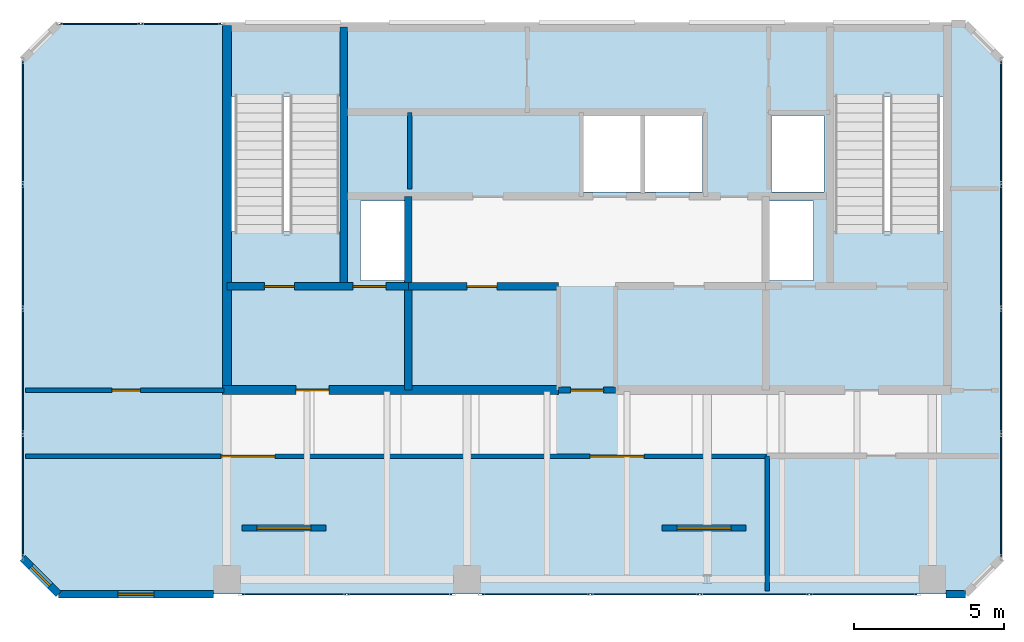
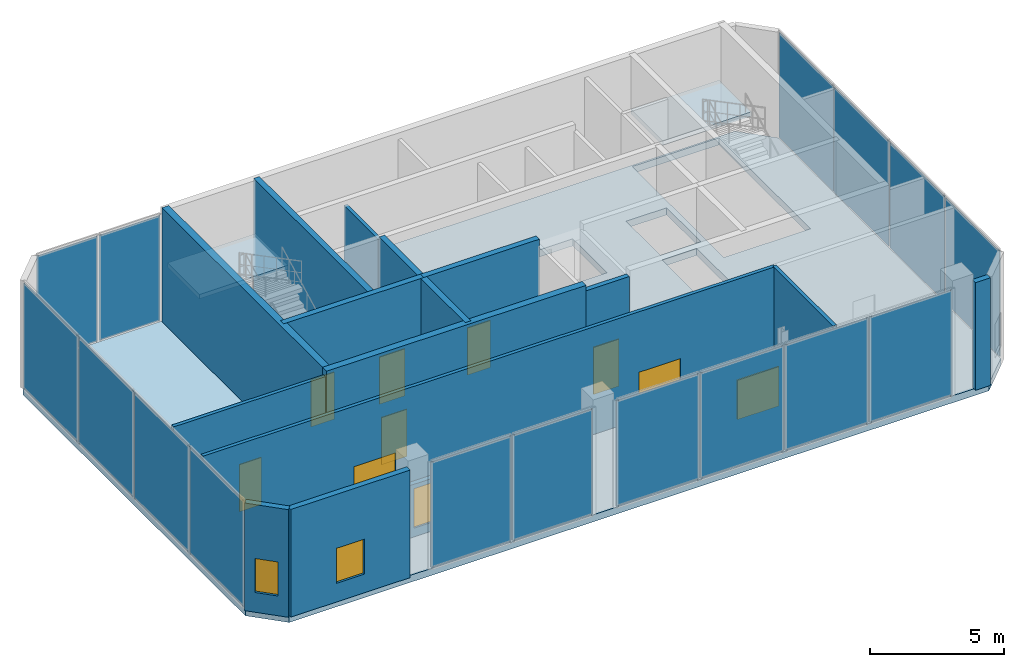
# One storey, part 8 of 10: 16 plates, 16 walls, 8 doors, 4 windows, 3 slabs, 12 openings, 7 elements without a shape of their own.
"""IFC4 building model written with IfcOpenShell, lengths in metres."""

from ifc_helpers import new_model, si_unit, direction, frame, frame_2d, origin, origin_2d, place, context, subcontext, project, spatial, polyline, rectangle, outline, extrude, material, layer, layer_set, type_object, element, fill, aggregate, save


model = new_model("IFC4")

# Units and contexts
model_context = context("Model", 3, precision=1e-05, world=origin(), true_north=direction((0.0, 1.0)))
body_context = subcontext(model_context, "Body", "Model", "MODEL_VIEW")
ifc_project = project(units=[si_unit("LENGTHUNIT", "METRE"), si_unit("AREAUNIT", "SQUARE_METRE"), si_unit("VOLUMEUNIT", "CUBIC_METRE"), si_unit("PLANEANGLEUNIT", "RADIAN"), si_unit("MASSUNIT", "GRAM", prefix="KILO")], contexts=[model_context])

# Site, building, storey
site_placement = place(None, origin())
site = spatial("IfcSite", under=ifc_project, at=site_placement, CompositionType="ELEMENT")
building_placement = place(site_placement, origin())
building = spatial("IfcBuilding", under=site, at=building_placement, Name="Catumbela Crestline Tower", CompositionType="ELEMENT")
storey_placement = place(building_placement, frame((0.0, 0.0, 295.8)))
storey = spatial("IfcBuildingStorey", under=building, at=storey_placement, Name="L76", CompositionType="ELEMENT", Elevation=295.8)

# Curtain wall, plates
ifc_material_1 = material(Name="Aluminium alloy AW-6060-T66", Category="aluminium")
ifc_layer_1 = layer(ifc_material_1, 0.18, Name="Aluminium alloy AW-6060-T66")
ifc_layer_set_1 = layer_set([ifc_layer_1], Name="Aluminium alloy AW-6060-T66")
curtain_wall_type = type_object("IfcCurtainWallType", Name="CWS-OBS", PredefinedType="USERDEFINED", material=ifc_layer_set_1)
curtain_wall_1_placement = place(storey_placement, origin())
curtain_wall_1 = element("IfcCurtainWall", 1, at=curtain_wall_1_placement, inside=storey, type_object=curtain_wall_type, Name="L76 Stick Curtain Wall CW-L76-E0S2", ObjectType="STICK", PredefinedType="USERDEFINED")
ifc_material_2 = material(Name="Low-E laminated solar-control double glazing", Category="glass")
ifc_layer_2 = layer(ifc_material_2, 0.036, Name="Low-E laminated solar-control double glazing")
ifc_layer_set_2 = layer_set([ifc_layer_2], Name="Low-E laminated solar-control double glazing")
plate_type = type_object("IfcPlateType", Name="PNL-GLZ-OB", PredefinedType="CURTAIN_PANEL", material=ifc_layer_set_2)
plate_1_placement = place(storey_placement, frame((18.2412, 24.0, 0.06), z_axis=(0.0, 0.0, 1.0), x_axis=(1.0, 0.0, 0.0)))
plate_1 = element("IfcPlate", 2, at=plate_1_placement, type_object=plate_type, Name="CWS-OBS panel 1.1", PredefinedType="CURTAIN_PANEL", context=body_context, shape_type="SweptSolid", body=[
    extrude(rectangle(XDim=3.4525, YDim=0.034, at=origin_2d()), origin(), (0.0, 0.0, 1.0), 4.79),
])
plate_2_placement = place(storey_placement, frame((21.7588, 24.0, 0.06), z_axis=(0.0, 0.0, 1.0), x_axis=(1.0, 0.0, 0.0)))
plate_2 = element("IfcPlate", 3, at=plate_2_placement, type_object=plate_type, Name="CWS-OBS panel 2.1", PredefinedType="CURTAIN_PANEL", context=body_context, shape_type="SweptSolid", body=[
    extrude(rectangle(XDim=3.4525, YDim=0.034, at=origin_2d()), origin(), (0.0, 0.0, 1.0), 4.79),
])
aggregate(curtain_wall_1, [plate_1, plate_2])

curtain_wall_2_placement = place(storey_placement, origin())
curtain_wall_2 = element("IfcCurtainWall", 4, at=curtain_wall_2_placement, inside=storey, type_object=curtain_wall_type, Name="L76 Stick Curtain Wall CW-L76-E0S3", ObjectType="STICK", PredefinedType="USERDEFINED")
plate_3_placement = place(storey_placement, frame((26.2912, 24.0, 0.06), z_axis=(0.0, 0.0, 1.0), x_axis=(1.0, 0.0, 0.0)))
plate_3 = element("IfcPlate", 5, at=plate_3_placement, type_object=plate_type, Name="CWS-OBS panel 1.1", PredefinedType="CURTAIN_PANEL", context=body_context, shape_type="SweptSolid", body=[
    extrude(rectangle(XDim=3.5525, YDim=0.034, at=origin_2d()), origin(), (0.0, 0.0, 1.0), 4.79),
])
plate_4_placement = place(storey_placement, frame((29.925, 24.0, 0.06), z_axis=(0.0, 0.0, 1.0), x_axis=(1.0, 0.0, 0.0)))
plate_4 = element("IfcPlate", 6, at=plate_4_placement, type_object=plate_type, Name="CWS-OBS panel 2.1", PredefinedType="CURTAIN_PANEL", context=body_context, shape_type="SweptSolid", body=[
    extrude(rectangle(XDim=3.585, YDim=0.034, at=origin_2d()), origin(), (0.0, 0.0, 1.0), 4.79),
])
plate_5_placement = place(storey_placement, frame((33.575, 24.0, 0.06), z_axis=(0.0, 0.0, 1.0), x_axis=(1.0, 0.0, 0.0)))
plate_5 = element("IfcPlate", 7, at=plate_5_placement, type_object=plate_type, Name="CWS-OBS panel 3.1", PredefinedType="CURTAIN_PANEL", context=body_context, shape_type="SweptSolid", body=[
    extrude(rectangle(XDim=3.585, YDim=0.034, at=origin_2d()), origin(), (0.0, 0.0, 1.0), 4.79),
])
plate_6_placement = place(storey_placement, frame((37.2088, 24.0, 0.06), z_axis=(0.0, 0.0, 1.0), x_axis=(1.0, 0.0, 0.0)))
plate_6 = element("IfcPlate", 8, at=plate_6_placement, type_object=plate_type, Name="CWS-OBS panel 4.1", PredefinedType="CURTAIN_PANEL", context=body_context, shape_type="SweptSolid", body=[
    extrude(rectangle(XDim=3.5525, YDim=0.034, at=origin_2d()), origin(), (0.0, 0.0, 1.0), 4.79),
])
aggregate(curtain_wall_2, [plate_3, plate_4, plate_5, plate_6])

curtain_wall_3_placement = place(storey_placement, origin())
curtain_wall_3 = element("IfcCurtainWall", 9, at=curtain_wall_3_placement, inside=storey, type_object=curtain_wall_type, Name="L76 Stick Curtain Wall CW-L76-E2S1", ObjectType="STICK", PredefinedType="USERDEFINED")
plate_7_placement = place(storey_placement, frame((41.8, 27.2912, 0.06), z_axis=(0.0, 0.0, 1.0), x_axis=(0.0, 1.0, 0.0)))
plate_7 = element("IfcPlate", 10, at=plate_7_placement, type_object=plate_type, Name="CWS-OBS panel 1.1", PredefinedType="CURTAIN_PANEL", context=body_context, shape_type="SweptSolid", body=[
    extrude(rectangle(XDim=4.0525, YDim=0.034, at=origin_2d()), origin(), (0.0, 0.0, 1.0), 4.79),
])
plate_8_placement = place(storey_placement, frame((41.8, 31.425, 0.06), z_axis=(0.0, 0.0, 1.0), x_axis=(0.0, 1.0, 0.0)))
plate_8 = element("IfcPlate", 11, at=plate_8_placement, type_object=plate_type, Name="CWS-OBS panel 2.1", PredefinedType="CURTAIN_PANEL", context=body_context, shape_type="SweptSolid", body=[
    extrude(rectangle(XDim=4.085, YDim=0.034, at=origin_2d()), origin(), (0.0, 0.0, 1.0), 4.79),
])
plate_9_placement = place(storey_placement, frame((41.8, 35.575, 0.06), z_axis=(0.0, 0.0, 1.0), x_axis=(0.0, 1.0, 0.0)))
plate_9 = element("IfcPlate", 12, at=plate_9_placement, type_object=plate_type, Name="CWS-OBS panel 3.1", PredefinedType="CURTAIN_PANEL", context=body_context, shape_type="SweptSolid", body=[
    extrude(rectangle(XDim=4.085, YDim=0.034, at=origin_2d()), origin(), (0.0, 0.0, 1.0), 4.79),
])
plate_10_placement = place(storey_placement, frame((41.8, 39.7088, 0.06), z_axis=(0.0, 0.0, 1.0), x_axis=(0.0, 1.0, 0.0)))
plate_10 = element("IfcPlate", 13, at=plate_10_placement, type_object=plate_type, Name="CWS-OBS panel 4.1", PredefinedType="CURTAIN_PANEL", context=body_context, shape_type="SweptSolid", body=[
    extrude(rectangle(XDim=4.0525, YDim=0.034, at=origin_2d()), origin(), (0.0, 0.0, 1.0), 4.79),
])
aggregate(curtain_wall_3, [plate_7, plate_8, plate_9, plate_10])

curtain_wall_4_placement = place(storey_placement, origin())
curtain_wall_4 = element("IfcCurtainWall", 14, at=curtain_wall_4_placement, inside=storey, type_object=curtain_wall_type, Name="L76 Stick Curtain Wall CW-L76-E4S2", ObjectType="STICK", PredefinedType="USERDEFINED")
plate_11_placement = place(storey_placement, frame((14.4788, 43.0, 0.06), z_axis=(0.0, 0.0, 1.0), x_axis=(-1.0, 0.0, 0.0)))
plate_11 = element("IfcPlate", 15, at=plate_11_placement, type_object=plate_type, Name="CWS-OBS panel 1.1", PredefinedType="CURTAIN_PANEL", context=body_context, shape_type="SweptSolid", body=[
    extrude(rectangle(XDim=2.6325, YDim=0.034, at=origin_2d()), origin(), (0.0, 0.0, 1.0), 4.79),
])
plate_12_placement = place(storey_placement, frame((11.7812, 43.0, 0.06), z_axis=(0.0, 0.0, 1.0), x_axis=(-1.0, 0.0, 0.0)))
plate_12 = element("IfcPlate", 16, at=plate_12_placement, type_object=plate_type, Name="CWS-OBS panel 2.1", PredefinedType="CURTAIN_PANEL", context=body_context, shape_type="SweptSolid", body=[
    extrude(rectangle(XDim=2.6325, YDim=0.034, at=origin_2d()), origin(), (0.0, 0.0, 1.0), 4.79),
])
aggregate(curtain_wall_4, [plate_11, plate_12])

curtain_wall_5_placement = place(storey_placement, origin())
curtain_wall_5 = element("IfcCurtainWall", 17, at=curtain_wall_5_placement, inside=storey, type_object=curtain_wall_type, Name="L76 Stick Curtain Wall CW-L76-E6S1", ObjectType="STICK", PredefinedType="USERDEFINED")
plate_13_placement = place(storey_placement, frame((9.2, 39.7088, 0.06), z_axis=(0.0, 0.0, 1.0), x_axis=(0.0, -1.0, 0.0)))
plate_13 = element("IfcPlate", 18, at=plate_13_placement, type_object=plate_type, Name="CWS-OBS panel 1.1", PredefinedType="CURTAIN_PANEL", context=body_context, shape_type="SweptSolid", body=[
    extrude(rectangle(XDim=4.0525, YDim=0.034, at=origin_2d()), origin(), (0.0, 0.0, 1.0), 4.79),
])
plate_14_placement = place(storey_placement, frame((9.2, 35.575, 0.06), z_axis=(0.0, 0.0, 1.0), x_axis=(0.0, -1.0, 0.0)))
plate_14 = element("IfcPlate", 19, at=plate_14_placement, type_object=plate_type, Name="CWS-OBS panel 2.1", PredefinedType="CURTAIN_PANEL", context=body_context, shape_type="SweptSolid", body=[
    extrude(rectangle(XDim=4.085, YDim=0.034, at=origin_2d()), origin(), (0.0, 0.0, 1.0), 4.79),
])
plate_15_placement = place(storey_placement, frame((9.2, 31.425, 0.06), z_axis=(0.0, 0.0, 1.0), x_axis=(0.0, -1.0, 0.0)))
plate_15 = element("IfcPlate", 20, at=plate_15_placement, type_object=plate_type, Name="CWS-OBS panel 3.1", PredefinedType="CURTAIN_PANEL", context=body_context, shape_type="SweptSolid", body=[
    extrude(rectangle(XDim=4.085, YDim=0.034, at=origin_2d()), origin(), (0.0, 0.0, 1.0), 4.79),
])
plate_16_placement = place(storey_placement, frame((9.2, 27.2912, 0.06), z_axis=(0.0, 0.0, 1.0), x_axis=(0.0, -1.0, 0.0)))
plate_16 = element("IfcPlate", 21, at=plate_16_placement, type_object=plate_type, Name="CWS-OBS panel 4.1", PredefinedType="CURTAIN_PANEL", context=body_context, shape_type="SweptSolid", body=[
    extrude(rectangle(XDim=4.0525, YDim=0.034, at=origin_2d()), origin(), (0.0, 0.0, 1.0), 4.79),
])
aggregate(curtain_wall_5, [plate_13, plate_14, plate_15, plate_16])

# Stair, slab
ifc_material_3 = material(Name="Concrete C45/55", Category="concrete")
stair_type = type_object("IfcStairType", Name="ST-DLG", PredefinedType="HALF_TURN_STAIR", material=ifc_material_3)
stair_1_placement = place(storey_placement, origin())
stair_1 = element("IfcStair", 22, at=stair_1_placement, inside=storey, type_object=stair_type, Name="L76 West Core Pressurised Exit Stair ST-01", PredefinedType="HALF_TURN_STAIR")
ifc_layer_3 = layer(ifc_material_3, 0.2, Name="Concrete C45/55")
ifc_layer_set_3 = layer_set([ifc_layer_3], Name="Concrete C45/55")
slab_type_1 = type_object("IfcSlabType", Name="SL-LND", PredefinedType="LANDING", material=ifc_layer_set_3)
slab_1_placement = place(storey_placement, frame((0.0, 0.0, 2.4)))
slab_1 = element("IfcSlab", 23, at=slab_1_placement, type_object=slab_type_1, Name="ST-01 landing 1", PredefinedType="LANDING", context=body_context, shape_type="SweptSolid", body=[
    extrude(outline(polyline([(19.91, 40.57), (19.91, 42.96), (16.09, 42.96), (16.09, 40.57), (19.91, 40.57)])), origin(), (0.0, 0.0, 1.0), 0.2),
])
aggregate(stair_1, [slab_1])

stair_2_placement = place(storey_placement, origin())
stair_2 = element("IfcStair", 24, at=stair_2_placement, inside=storey, type_object=stair_type, Name="L76 East Core Pressurised Exit Stair ST-02", PredefinedType="HALF_TURN_STAIR")
slab_2_placement = place(storey_placement, frame((0.0, 0.0, 2.4)))
slab_2 = element("IfcSlab", 25, at=slab_2_placement, type_object=slab_type_1, Name="ST-02 landing 1", PredefinedType="LANDING", context=body_context, shape_type="SweptSolid", body=[
    extrude(outline(polyline([(39.91, 40.57), (39.91, 42.96), (36.09, 42.96), (36.09, 40.57), (39.91, 40.57)])), origin(), (0.0, 0.0, 1.0), 0.2),
])
aggregate(stair_2, [slab_2])

# Slab
ifc_material_4 = material(Name="Concrete C50/60", Category="concrete")
ifc_layer_4 = layer(ifc_material_4, 0.32, Name="Concrete C50/60")
ifc_layer_set_4 = layer_set([ifc_layer_4], Name="Concrete C50/60")
slab_type_2 = type_object("IfcSlabType", Name="SL-320V", PredefinedType="FLOOR", material=ifc_layer_set_4)
slab_3_placement = place(storey_placement, frame((0.0, 0.0, -0.32)))
element("IfcSlab", 26, at=slab_3_placement, inside=storey, type_object=slab_type_2, Name="L76 Structural Floor Slab", PredefinedType="FLOOR", context=body_context, shape_type="SweptSolid", body=[
    extrude(outline(polyline([(10.4, 24.0), (40.6, 24.0), (41.8, 25.2), (41.8, 41.8), (40.6, 43.0), (10.4, 43.0), (9.2, 41.8), (9.2, 25.2), (10.4, 24.0)]), holes=[polyline([(16.13, 36.08), (19.87, 36.08), (19.87, 42.92), (16.13, 42.92), (16.13, 36.08)]), polyline([(36.13, 36.08), (39.87, 36.08), (39.87, 42.92), (36.13, 42.92), (36.13, 36.08)]), polyline([(27.85, 37.4), (31.85, 37.4), (31.85, 39.95), (27.85, 39.95), (27.85, 37.4)]), polyline([(20.45, 34.45), (21.95, 34.45), (21.95, 37.1), (20.45, 37.1), (20.45, 34.45)]), polyline([(34.05, 34.45), (35.55, 34.45), (35.55, 37.1), (34.05, 37.1), (34.05, 34.45)]), polyline([(34.15, 37.4), (35.9, 37.4), (35.9, 39.95), (34.15, 39.95), (34.15, 37.4)])]), origin(), (0.0, 0.0, 1.0), 0.32),
])

# Walls
ifc_layer_5 = layer(ifc_material_4, 0.25, Name="Concrete C50/60")
ifc_layer_set_5 = layer_set([ifc_layer_5], Name="Concrete C50/60")
wall_type_1 = type_object("IfcWallType", Name="CW-250D", PredefinedType="SHEAR", material=ifc_layer_set_5)
wall_1_placement = place(storey_placement, frame((19.9, 34.25, 0.0), z_axis=(0.0, 0.0, 1.0), x_axis=(0.0, 1.0, 0.0)))
element("IfcWall", 27, at=wall_1_placement, inside=storey, type_object=wall_type_1, Name="L76 Structural Core Shear Wall WWEB", PredefinedType="SHEAR", context=body_context, shape_type="SweptSolid", body=[
    extrude(rectangle(XDim=8.65, YDim=0.25, at=frame_2d((4.325, 0.0))), origin(), (0.0, 0.0, 1.0), 5.2),
])
wall_2_placement = place(storey_placement, frame((22.05, 30.8, 0.0), z_axis=(0.0, 0.0, 1.0), x_axis=(0.0, 1.0, 0.0)))
element("IfcWall", 28, at=wall_2_placement, inside=storey, type_object=wall_type_1, Name="L76 Structural Core Shear Wall FFW", PredefinedType="SHEAR", context=body_context, shape_type="SweptSolid", body=[
    extrude(rectangle(XDim=6.45, YDim=0.25, at=frame_2d((3.225, 0.0))), origin(), (0.0, 0.0, 1.0), 5.2),
])

# Wall, openings, doors
wall_3_placement = place(storey_placement, frame((16.0, 34.25, 0.0), z_axis=(0.0, 0.0, 1.0), x_axis=(1.0, 0.0, 0.0)))
wall_3 = element("IfcWall", 29, at=wall_3_placement, inside=storey, type_object=wall_type_1, Name="L76 Structural Core Shear Wall ST1S", PredefinedType="SHEAR", context=body_context, shape_type="SweptSolid", body=[
    extrude(rectangle(XDim=6.05, YDim=0.25, at=frame_2d((3.025, 0.0))), origin(), (0.0, 0.0, 1.0), 5.2),
])
opening_1_placement = place(wall_3_placement, frame((1.25, 0.0, 0.0)))
opening_1 = element("IfcOpeningElement", 30, at=opening_1_placement, cuts=wall_3, Name="Opening DF9-100", PredefinedType="OPENING", context=body_context, shape_type="SweptSolid", body=[
    extrude(rectangle(XDim=1.0, YDim=2.15, at=frame_2d((0.5, 1.075))), frame((0.0, 0.135, 0.0), z_axis=(0.0, -1.0, 0.0), x_axis=(1.0, 0.0, 0.0)), (0.0, 0.0, 1.0), 0.27),
])
opening_2_placement = place(wall_3_placement, frame((4.2, 0.0, 0.0)))
opening_2 = element("IfcOpeningElement", 31, at=opening_2_placement, cuts=wall_3, Name="Opening LD-110", PredefinedType="OPENING", context=body_context, shape_type="SweptSolid", body=[
    extrude(rectangle(XDim=1.1, YDim=2.15, at=frame_2d((0.55, 1.075))), frame((0.0, 0.135, 0.0), z_axis=(0.0, -1.0, 0.0), x_axis=(1.0, 0.0, 0.0)), (0.0, 0.0, 1.0), 0.27),
])
ifc_material_5 = material(Name="Stainless steel EN 1.4401", Category="steel")
door_type_1 = type_object("IfcDoorType", Name="DF9-100", OperationType="NOTDEFINED", PredefinedType="DOOR", material=ifc_material_5)
door_1_placement = place(opening_1_placement, origin())
door_1 = element("IfcDoor", 32, at=door_1_placement, inside=storey, type_object=door_type_1, Name="L76 Interior Door DR-L76-ST01", OperationType="SINGLE_SWING_LEFT", OverallHeight=2.15, OverallWidth=1.0, PredefinedType="DOOR", context=body_context, shape_type="SweptSolid", body=[
    extrude(rectangle(XDim=1.0, YDim=2.15, at=frame_2d((0.5, 1.075))), frame((0.0, 0.025, 0.0), z_axis=(0.0, -1.0, 0.0), x_axis=(1.0, 0.0, 0.0)), (0.0, 0.0, 1.0), 0.05),
])
fill(opening_1, door_1)
door_type_2 = type_object("IfcDoorType", Name="LD-110", OperationType="NOTDEFINED", PredefinedType="DOOR", material=ifc_material_5)
door_2_placement = place(opening_2_placement, origin())
door_2 = element("IfcDoor", 33, at=door_2_placement, inside=storey, type_object=door_type_2, Name="L76 Lift Landing Sliding Door FL-01", OperationType="DOUBLE_DOOR_SLIDING", OverallHeight=2.15, OverallWidth=1.1, PredefinedType="DOOR", context=body_context, shape_type="SweptSolid", body=[
    extrude(rectangle(XDim=1.1, YDim=2.15, at=frame_2d((0.55, 1.075))), frame((0.0, 0.025, 0.0), z_axis=(0.0, -1.0, 0.0), x_axis=(1.0, 0.0, 0.0)), (0.0, 0.0, 1.0), 0.05),
])
fill(opening_2, door_2)

# Wall, opening, door
wall_4_placement = place(storey_placement, frame((22.05, 34.25, 0.0), z_axis=(0.0, 0.0, 1.0), x_axis=(1.0, 0.0, 0.0)))
wall_4 = element("IfcWall", 34, at=wall_4_placement, inside=storey, type_object=wall_type_1, Name="L76 Structural Core Shear Wall LIFTS-W", PredefinedType="SHEAR", context=body_context, shape_type="SweptSolid", body=[
    extrude(rectangle(XDim=5.0, YDim=0.25, at=frame_2d((2.5, 0.0))), origin(), (0.0, 0.0, 1.0), 5.2),
])
opening_3_placement = place(wall_4_placement, frame((1.95, 0.0, 0.0)))
opening_3 = element("IfcOpeningElement", 35, at=opening_3_placement, cuts=wall_4, Name="Opening DF9-100", PredefinedType="OPENING", context=body_context, shape_type="SweptSolid", body=[
    extrude(rectangle(XDim=1.0, YDim=2.15, at=frame_2d((0.5, 1.075))), frame((0.0, 0.135, 0.0), z_axis=(0.0, -1.0, 0.0), x_axis=(1.0, 0.0, 0.0)), (0.0, 0.0, 1.0), 0.27),
])
door_3_placement = place(opening_3_placement, origin())
door_3 = element("IfcDoor", 36, at=door_3_placement, inside=storey, type_object=door_type_1, Name="L76 Interior Door DR-L76-RECL1", OperationType="SINGLE_SWING_LEFT", OverallHeight=2.15, OverallWidth=1.0, PredefinedType="DOOR", context=body_context, shape_type="SweptSolid", body=[
    extrude(rectangle(XDim=1.0, YDim=2.15, at=frame_2d((0.5, 1.075))), frame((0.0, 0.025, 0.0), z_axis=(0.0, -1.0, 0.0), x_axis=(1.0, 0.0, 0.0)), (0.0, 0.0, 1.0), 0.05),
])
fill(opening_3, door_3)

# Wall
ifc_layer_6 = layer(ifc_material_3, 0.3, Name="Concrete C45/55")
ifc_layer_set_6 = layer_set([ifc_layer_6], Name="Concrete C45/55")
wall_type_2 = type_object("IfcWallType", Name="CW-300C", PredefinedType="SHEAR", material=ifc_layer_set_6)
wall_5_placement = place(storey_placement, frame((16.0, 30.65, 0.0), z_axis=(0.0, 0.0, 1.0), x_axis=(0.0, 1.0, 0.0)))
element("IfcWall", 37, at=wall_5_placement, inside=storey, type_object=wall_type_2, Name="L76 Structural Core Shear Wall W", PredefinedType="SHEAR", context=body_context, shape_type="SweptSolid", body=[
    extrude(rectangle(XDim=12.3, YDim=0.3, at=frame_2d((6.15, 0.0))), origin(), (0.0, 0.0, 1.0), 5.2),
])

# Wall, opening, door
wall_6_placement = place(storey_placement, frame((15.85, 30.8, 0.0), z_axis=(0.0, 0.0, 1.0), x_axis=(1.0, 0.0, 0.0)))
wall_6 = element("IfcWall", 38, at=wall_6_placement, inside=storey, type_object=wall_type_2, Name="L76 Structural Core Shear Wall SW", PredefinedType="SHEAR", context=body_context, shape_type="SweptSolid", body=[
    extrude(rectangle(XDim=11.2, YDim=0.3, at=frame_2d((5.6, 0.0))), origin(), (0.0, 0.0, 1.0), 5.2),
])
opening_4_placement = place(wall_6_placement, frame((2.45, 0.0, 0.0)))
opening_4 = element("IfcOpeningElement", 39, at=opening_4_placement, cuts=wall_6, Name="Opening DF9-110", PredefinedType="OPENING", context=body_context, shape_type="SweptSolid", body=[
    extrude(rectangle(XDim=1.1, YDim=2.15, at=frame_2d((0.55, 1.075))), frame((0.0, 0.16, 0.0), z_axis=(0.0, -1.0, 0.0), x_axis=(1.0, 0.0, 0.0)), (0.0, 0.0, 1.0), 0.32),
])
door_type_3 = type_object("IfcDoorType", Name="DF9-110", OperationType="NOTDEFINED", PredefinedType="DOOR", material=ifc_material_5)
door_4_placement = place(opening_4_placement, origin())
door_4 = element("IfcDoor", 40, at=door_4_placement, inside=storey, type_object=door_type_3, Name="L76 Interior Door DR-L76-FFW-S", OperationType="SINGLE_SWING_LEFT", OverallHeight=2.15, OverallWidth=1.1, PredefinedType="DOOR", context=body_context, shape_type="SweptSolid", body=[
    extrude(rectangle(XDim=1.1, YDim=2.15, at=frame_2d((0.55, 1.075))), frame((0.0, 0.025, 0.0), z_axis=(0.0, -1.0, 0.0), x_axis=(1.0, 0.0, 0.0)), (0.0, 0.0, 1.0), 0.05),
])
fill(opening_4, door_4)

ifc_material_6 = material(Name="Acoustic gypsum and mineral-wool partition")
ifc_layer_7 = layer(ifc_material_6, 0.2, Name="Acoustic gypsum and mineral-wool partition")
ifc_layer_set_7 = layer_set([ifc_layer_7], Name="Acoustic gypsum and mineral-wool partition")
wall_type_3 = type_object("IfcWallType", Name="WC-200", PredefinedType="PARTITIONING", material=ifc_layer_set_7)
wall_7_placement = place(storey_placement, frame((27.05, 30.8, 0.0), z_axis=(0.0, 0.0, 1.0), x_axis=(1.0, 0.0, 0.0)))
wall_7 = element("IfcWall", 41, at=wall_7_placement, inside=storey, type_object=wall_type_3, Name="L76 Interior Partition PW-L76-CLOBS", PredefinedType="PARTITIONING", context=body_context, shape_type="SweptSolid", body=[
    extrude(rectangle(XDim=1.9, YDim=0.2, at=frame_2d((0.95, 0.0))), origin(), (0.0, 0.0, 1.0), 4.91),
])
opening_5_placement = place(wall_7_placement, frame((0.4, 0.0, 0.0)))
opening_5 = element("IfcOpeningElement", 42, at=opening_5_placement, cuts=wall_7, Name="Opening DF9-110", PredefinedType="OPENING", context=body_context, shape_type="SweptSolid", body=[
    extrude(rectangle(XDim=1.1, YDim=2.15, at=frame_2d((0.55, 1.075))), frame((0.0, 0.11, 0.0), z_axis=(0.0, -1.0, 0.0), x_axis=(1.0, 0.0, 0.0)), (0.0, 0.0, 1.0), 0.22),
])
door_5_placement = place(opening_5_placement, origin())
door_5 = element("IfcDoor", 43, at=door_5_placement, inside=storey, type_object=door_type_3, Name="L76 Interior Door DR-L76-CLOBS", OperationType="SINGLE_SWING_LEFT", OverallHeight=2.15, OverallWidth=1.1, PredefinedType="DOOR", context=body_context, shape_type="SweptSolid", body=[
    extrude(rectangle(XDim=1.1, YDim=2.15, at=frame_2d((0.55, 1.075))), frame((0.0, 0.025, 0.0), z_axis=(0.0, -1.0, 0.0), x_axis=(1.0, 0.0, 0.0)), (0.0, 0.0, 1.0), 0.05),
])
fill(opening_5, door_5)

# Wall, opening, window
ifc_material_7 = material(Name="Angolan grey-ochre granite", Category="masonry")
ifc_layer_8 = layer(ifc_material_7, 0.25, Name="Angolan grey-ochre granite")
ifc_layer_set_8 = layer_set([ifc_layer_8], Name="Angolan grey-ochre granite")
wall_type_4 = type_object("IfcWallType", Name="WE-250", PredefinedType="STANDARD", material=ifc_layer_set_8)
wall_8_placement = place(storey_placement, frame((10.4, 24.0, 0.0), z_axis=(0.0, 0.0, 1.0), x_axis=(1.0, 0.0, 0.0)))
wall_8 = element("IfcWall", 44, at=wall_8_placement, inside=storey, type_object=wall_type_4, Name="L76 Granite Punched Window Wall 0-1", PredefinedType="STANDARD", context=body_context, shape_type="SweptSolid", body=[
    extrude(rectangle(XDim=5.15, YDim=0.25, at=frame_2d((2.575, 0.0))), origin(), (0.0, 0.0, 1.0), 4.91),
])
opening_6_placement = place(wall_8_placement, frame((1.975, 0.0, 0.85)))
opening_6 = element("IfcOpeningElement", 45, at=opening_6_placement, cuts=wall_8, Name="Opening WN-02", PredefinedType="OPENING", context=body_context, shape_type="SweptSolid", body=[
    extrude(rectangle(XDim=1.2, YDim=1.6, at=frame_2d((0.6, 0.8))), frame((0.0, 0.135, 0.0), z_axis=(0.0, -1.0, 0.0), x_axis=(1.0, 0.0, 0.0)), (0.0, 0.0, 1.0), 0.27),
])
window_type_1 = type_object("IfcWindowType", Name="WO-1200", PartitioningType="SINGLE_PANEL", PredefinedType="WINDOW", material=ifc_material_2)
window_1_placement = place(opening_6_placement, origin())
window_1 = element("IfcWindow", 46, at=window_1_placement, inside=storey, type_object=window_type_1, Name="L76 Facade Vision Window 622", OverallHeight=1.6, OverallWidth=1.2, PartitioningType="SINGLE_PANEL", PredefinedType="WINDOW", context=body_context, shape_type="SweptSolid", body=[
    extrude(rectangle(XDim=1.2, YDim=1.6, at=frame_2d((0.6, 0.8))), frame((0.0, 0.03, 0.0), z_axis=(0.0, -1.0, 0.0), x_axis=(1.0, 0.0, 0.0)), (0.0, 0.0, 1.0), 0.06),
])
fill(opening_6, window_1)

# Wall
wall_9_placement = place(storey_placement, frame((39.95, 24.0, 0.0), z_axis=(0.0, 0.0, 1.0), x_axis=(1.0, 0.0, 0.0)))
element("IfcWall", 47, at=wall_9_placement, inside=storey, type_object=wall_type_4, Name="L76 Granite Punched Window Wall 0-4", PredefinedType="STANDARD", context=body_context, shape_type="SweptSolid", body=[
    extrude(rectangle(XDim=0.65, YDim=0.25, at=frame_2d((0.325, 0.0))), origin(), (0.0, 0.0, 1.0), 4.91),
])

# Wall, opening, window
wall_10_placement = place(storey_placement, frame((9.2, 25.2, 0.0), z_axis=(0.0, 0.0, 1.0), x_axis=(0.707106781187, -0.707106781187, 0.0)))
wall_10 = element("IfcWall", 48, at=wall_10_placement, inside=storey, type_object=wall_type_4, Name="L76 Granite Punched Window Wall 7-1", PredefinedType="STANDARD", context=body_context, shape_type="SweptSolid", body=[
    extrude(rectangle(XDim=1.6971, YDim=0.25, at=frame_2d((0.8486, 0.0))), origin(), (0.0, 0.0, 1.0), 4.91),
])
opening_7_placement = place(wall_10_placement, frame((0.3986, 0.0, 0.9)))
opening_7 = element("IfcOpeningElement", 49, at=opening_7_placement, cuts=wall_10, Name="Opening WN-03", PredefinedType="OPENING", context=body_context, shape_type="SweptSolid", body=[
    extrude(rectangle(XDim=0.9, YDim=1.55, at=frame_2d((0.45, 0.775))), frame((0.0, 0.135, 0.0), z_axis=(0.0, -1.0, 0.0), x_axis=(1.0, 0.0, 0.0)), (0.0, 0.0, 1.0), 0.27),
])
window_type_2 = type_object("IfcWindowType", Name="WO-0900", PartitioningType="SINGLE_PANEL", PredefinedType="WINDOW", material=ifc_material_2)
window_2_placement = place(opening_7_placement, origin())
window_2 = element("IfcWindow", 50, at=window_2_placement, inside=storey, type_object=window_type_2, Name="L76 Facade Vision Window 626", OverallHeight=1.55, OverallWidth=0.9, PartitioningType="SINGLE_PANEL", PredefinedType="WINDOW", context=body_context, shape_type="SweptSolid", body=[
    extrude(rectangle(XDim=0.9, YDim=1.55, at=frame_2d((0.45, 0.775))), frame((0.0, 0.03, 0.0), z_axis=(0.0, -1.0, 0.0), x_axis=(1.0, 0.0, 0.0)), (0.0, 0.0, 1.0), 0.06),
])
fill(opening_7, window_2)

ifc_material_8 = material(Name="Concrete C40/50", Category="concrete")
ifc_layer_9 = layer(ifc_material_8, 0.2, Name="Concrete C40/50")
ifc_layer_set_9 = layer_set([ifc_layer_9], Name="Concrete C40/50")
wall_type_5 = type_object("IfcWallType", Name="WP-200", PredefinedType="PARAPET", material=ifc_layer_set_9)
wall_11_placement = place(storey_placement, frame((16.5, 26.2, 0.0), z_axis=(0.0, 0.0, 1.0), x_axis=(1.0, 0.0, 0.0)))
wall_11 = element("IfcWall", 51, at=wall_11_placement, inside=storey, type_object=wall_type_5, Name="L76 Belvedere Clerestory Skylight Upstand 3", PredefinedType="PARAPET", context=body_context, shape_type="SweptSolid", body=[
    extrude(rectangle(XDim=2.8, YDim=0.2, at=frame_2d((1.4, 0.0))), origin(), (0.0, 0.0, 1.0), 2.4),
])
opening_8_placement = place(wall_11_placement, frame((0.5, 0.0, 0.4)))
opening_8 = element("IfcOpeningElement", 52, at=opening_8_placement, cuts=wall_11, Name="Opening WS-03", PredefinedType="OPENING", context=body_context, shape_type="SweptSolid", body=[
    extrude(rectangle(XDim=1.8, YDim=1.8, at=frame_2d((0.9, 0.9))), frame((0.0, 0.11, 0.0), z_axis=(0.0, -1.0, 0.0), x_axis=(1.0, 0.0, 0.0)), (0.0, 0.0, 1.0), 0.22),
])
window_type_3 = type_object("IfcWindowType", Name="WS-1800", PartitioningType="SINGLE_PANEL", PredefinedType="SKYLIGHT", material=ifc_material_2)
window_3_placement = place(opening_8_placement, origin())
window_3 = element("IfcWindow", 53, at=window_3_placement, inside=storey, type_object=window_type_3, Name="L76 Laminated Clerestory Skylight 3", OverallHeight=1.8, OverallWidth=1.8, PartitioningType="SINGLE_PANEL", PredefinedType="SKYLIGHT", context=body_context, shape_type="SweptSolid", body=[
    extrude(rectangle(XDim=1.8, YDim=1.8, at=frame_2d((0.9, 0.9))), frame((0.0, 0.03, 0.0), z_axis=(0.0, -1.0, 0.0), x_axis=(1.0, 0.0, 0.0)), (0.0, 0.0, 1.0), 0.06),
])
fill(opening_8, window_3)

wall_12_placement = place(storey_placement, frame((30.5, 26.2, 0.0), z_axis=(0.0, 0.0, 1.0), x_axis=(1.0, 0.0, 0.0)))
wall_12 = element("IfcWall", 54, at=wall_12_placement, inside=storey, type_object=wall_type_5, Name="L76 Belvedere Clerestory Skylight Upstand 4", PredefinedType="PARAPET", context=body_context, shape_type="SweptSolid", body=[
    extrude(rectangle(XDim=2.8, YDim=0.2, at=frame_2d((1.4, 0.0))), origin(), (0.0, 0.0, 1.0), 2.4),
])
opening_9_placement = place(wall_12_placement, frame((0.5, 0.0, 0.4)))
opening_9 = element("IfcOpeningElement", 55, at=opening_9_placement, cuts=wall_12, Name="Opening WS-04", PredefinedType="OPENING", context=body_context, shape_type="SweptSolid", body=[
    extrude(rectangle(XDim=1.8, YDim=1.8, at=frame_2d((0.9, 0.9))), frame((0.0, 0.11, 0.0), z_axis=(0.0, -1.0, 0.0), x_axis=(1.0, 0.0, 0.0)), (0.0, 0.0, 1.0), 0.22),
])
window_4_placement = place(opening_9_placement, origin())
window_4 = element("IfcWindow", 56, at=window_4_placement, inside=storey, type_object=window_type_3, Name="L76 Laminated Clerestory Skylight 4", OverallHeight=1.8, OverallWidth=1.8, PartitioningType="SINGLE_PANEL", PredefinedType="SKYLIGHT", context=body_context, shape_type="SweptSolid", body=[
    extrude(rectangle(XDim=1.8, YDim=1.8, at=frame_2d((0.9, 0.9))), frame((0.0, 0.03, 0.0), z_axis=(0.0, -1.0, 0.0), x_axis=(1.0, 0.0, 0.0)), (0.0, 0.0, 1.0), 0.06),
])
fill(opening_9, window_4)

# Wall, openings, doors
ifc_layer_10 = layer(ifc_material_6, 0.15, Name="Acoustic gypsum and mineral-wool partition")
ifc_layer_set_10 = layer_set([ifc_layer_10], Name="Acoustic gypsum and mineral-wool partition")
wall_type_6 = type_object("IfcWallType", Name="WP-150", PredefinedType="PARTITIONING", material=ifc_layer_set_10)
wall_13_placement = place(storey_placement, frame((9.3, 28.6, 0.0), z_axis=(0.0, 0.0, 1.0), x_axis=(1.0, 0.0, 0.0)))
wall_13 = element("IfcWall", 57, at=wall_13_placement, inside=storey, type_object=wall_type_6, Name="L76 Interior Partition PW-L76-BAR", PredefinedType="PARTITIONING", context=body_context, shape_type="SweptSolid", body=[
    extrude(rectangle(XDim=24.7, YDim=0.15, at=frame_2d((12.35, 0.0))), origin(), (0.0, 0.0, 1.0), 4.91),
])
opening_10_placement = place(wall_13_placement, frame((18.8, 0.0, 0.0)))
opening_10 = element("IfcOpeningElement", 58, at=opening_10_placement, cuts=wall_13, Name="Opening DD-180", PredefinedType="OPENING", context=body_context, shape_type="SweptSolid", body=[
    extrude(rectangle(XDim=1.8, YDim=2.15, at=frame_2d((0.9, 1.075))), frame((0.0, 0.085, 0.0), z_axis=(0.0, -1.0, 0.0), x_axis=(1.0, 0.0, 0.0)), (0.0, 0.0, 1.0), 0.17),
])
opening_11_placement = place(wall_13_placement, frame((6.5, 0.0, 0.0)))
opening_11 = element("IfcOpeningElement", 59, at=opening_11_placement, cuts=wall_13, Name="Opening DD-180", PredefinedType="OPENING", context=body_context, shape_type="SweptSolid", body=[
    extrude(rectangle(XDim=1.8, YDim=2.15, at=frame_2d((0.9, 1.075))), frame((0.0, 0.085, 0.0), z_axis=(0.0, -1.0, 0.0), x_axis=(1.0, 0.0, 0.0)), (0.0, 0.0, 1.0), 0.17),
])
door_type_4 = type_object("IfcDoorType", Name="DD-180", OperationType="NOTDEFINED", PredefinedType="DOOR", material=ifc_material_1)
door_6_placement = place(opening_10_placement, origin())
door_6 = element("IfcDoor", 60, at=door_6_placement, inside=storey, type_object=door_type_4, Name="L76 Interior Door DR-L76-BAR", OperationType="DOUBLE_DOOR_SINGLE_SWING", OverallHeight=2.15, OverallWidth=1.8, PredefinedType="DOOR", context=body_context, shape_type="SweptSolid", body=[
    extrude(rectangle(XDim=1.8, YDim=2.15, at=frame_2d((0.9, 1.075))), frame((0.0, 0.025, 0.0), z_axis=(0.0, -1.0, 0.0), x_axis=(1.0, 0.0, 0.0)), (0.0, 0.0, 1.0), 0.05),
])
fill(opening_10, door_6)
door_7_placement = place(opening_11_placement, origin())
door_7 = element("IfcDoor", 61, at=door_7_placement, inside=storey, type_object=door_type_4, Name="L76 Interior Door DR-L76-VIP", OperationType="DOUBLE_DOOR_SINGLE_SWING", OverallHeight=2.15, OverallWidth=1.8, PredefinedType="DOOR", context=body_context, shape_type="SweptSolid", body=[
    extrude(rectangle(XDim=1.8, YDim=2.15, at=frame_2d((0.9, 1.075))), frame((0.0, 0.025, 0.0), z_axis=(0.0, -1.0, 0.0), x_axis=(1.0, 0.0, 0.0)), (0.0, 0.0, 1.0), 0.05),
])
fill(opening_11, door_7)

# Wall
wall_14_placement = place(storey_placement, frame((34.0, 24.1, 0.0), z_axis=(0.0, 0.0, 1.0), x_axis=(0.0, 1.0, 0.0)))
element("IfcWall", 62, at=wall_14_placement, inside=storey, type_object=wall_type_6, Name="L76 Interior Partition PW-L76-BARE", PredefinedType="PARTITIONING", context=body_context, shape_type="SweptSolid", body=[
    extrude(rectangle(XDim=4.5, YDim=0.15, at=frame_2d((2.25, 0.0))), origin(), (0.0, 0.0, 1.0), 4.91),
])

# Wall, opening, door
wall_15_placement = place(storey_placement, frame((9.3, 30.8, 0.0), z_axis=(0.0, 0.0, 1.0), x_axis=(1.0, 0.0, 0.0)))
wall_15 = element("IfcWall", 63, at=wall_15_placement, inside=storey, type_object=wall_type_6, Name="L76 Interior Partition PW-L76-REC", PredefinedType="PARTITIONING", context=body_context, shape_type="SweptSolid", body=[
    extrude(rectangle(XDim=6.6, YDim=0.15, at=frame_2d((3.3, 0.0))), origin(), (0.0, 0.0, 1.0), 4.91),
])
opening_12_placement = place(wall_15_placement, frame((2.875, 0.0, 0.0)))
opening_12 = element("IfcOpeningElement", 64, at=opening_12_placement, cuts=wall_15, Name="Opening DF6-095", PredefinedType="OPENING", context=body_context, shape_type="SweptSolid", body=[
    extrude(rectangle(XDim=0.95, YDim=2.15, at=frame_2d((0.475, 1.075))), frame((0.0, 0.085, 0.0), z_axis=(0.0, -1.0, 0.0), x_axis=(1.0, 0.0, 0.0)), (0.0, 0.0, 1.0), 0.17),
])
door_type_5 = type_object("IfcDoorType", Name="DF6-095", OperationType="NOTDEFINED", PredefinedType="DOOR", material=ifc_material_1)
door_8_placement = place(opening_12_placement, origin())
door_8 = element("IfcDoor", 65, at=door_8_placement, inside=storey, type_object=door_type_5, Name="L76 Interior Door DR-L76-REC", OperationType="SINGLE_SWING_LEFT", OverallHeight=2.15, OverallWidth=0.95, PredefinedType="DOOR", context=body_context, shape_type="SweptSolid", body=[
    extrude(rectangle(XDim=0.95, YDim=2.15, at=frame_2d((0.475, 1.075))), frame((0.0, 0.025, 0.0), z_axis=(0.0, -1.0, 0.0), x_axis=(1.0, 0.0, 0.0)), (0.0, 0.0, 1.0), 0.05),
])
fill(opening_12, door_8)

# Wall
ifc_layer_11 = layer(ifc_material_6, 0.15, Name="Acoustic gypsum and mineral-wool partition")
ifc_layer_set_11 = layer_set([ifc_layer_11], Name="Acoustic gypsum and mineral-wool partition")
wall_type_7 = type_object("IfcWallType", Name="WS-150", PredefinedType="PLUMBINGWALL", material=ifc_layer_set_11)
wall_16_placement = place(storey_placement, frame((22.1, 37.4897, 0.0), z_axis=(0.0, 0.0, 1.0), x_axis=(0.0, 1.0, 0.0)))
element("IfcWall", 66, at=wall_16_placement, inside=storey, type_object=wall_type_7, Name="L76 Interior Partition PW-L76-SHH0", PredefinedType="PLUMBINGWALL", context=body_context, shape_type="SweptSolid", body=[
    extrude(rectangle(XDim=2.5603, YDim=0.15, at=frame_2d((1.2801, 0.0))), origin(), (0.0, 0.0, 1.0), 4.91),
])

save(model, "model.ifc")
